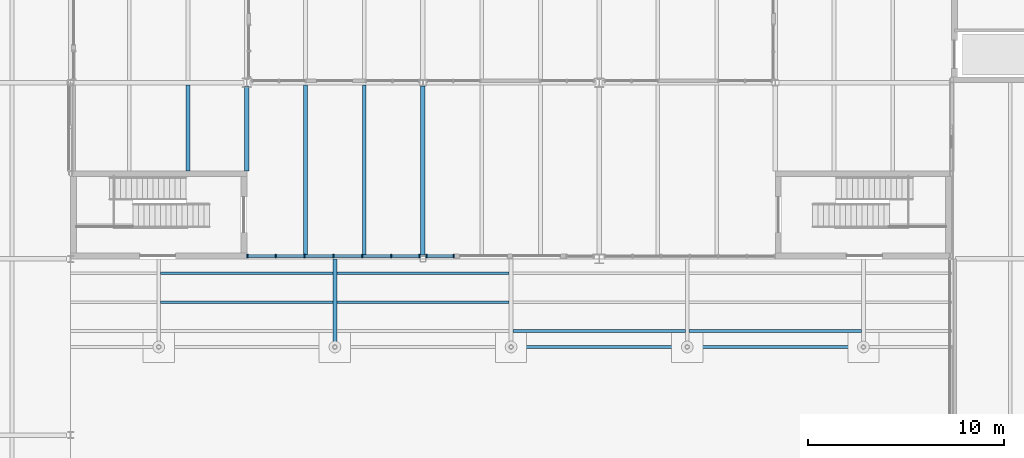
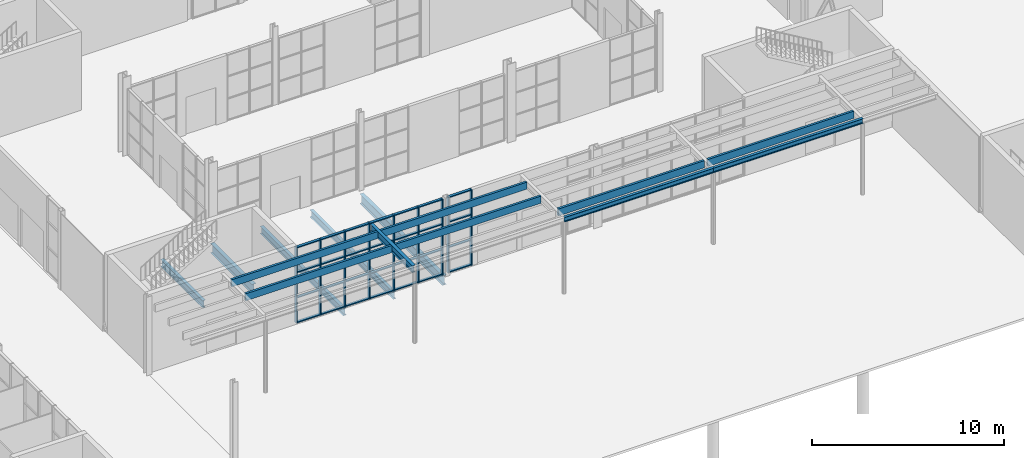
# One storey, part 13 of 63: 37 members, 14 beams, 2 elements without a shape of their own.
"""IFC4 building model written with IfcOpenShell, lengths in metres."""

from ifc_helpers import new_model, si_unit, direction, frame, origin, origin_2d, place, context, subcontext, project, spatial, rectangle, i_section, extrude, material, layer, layer_set, material_profile, profile_set, type_object, element, aggregate, save


model = new_model("IFC4")

# Units and contexts
model_context = context("Model", 3, precision=1e-05, world=origin(), true_north=direction((0.0, 1.0)))
body_context = subcontext(model_context, "Body", "Model", "MODEL_VIEW")
ifc_project = project(units=[si_unit("LENGTHUNIT", "METRE"), si_unit("AREAUNIT", "SQUARE_METRE"), si_unit("VOLUMEUNIT", "CUBIC_METRE"), si_unit("PLANEANGLEUNIT", "RADIAN"), si_unit("MASSUNIT", "GRAM", prefix="KILO")], contexts=[model_context])

# Site, building, storey
site_placement = place(None, origin())
site = spatial("IfcSite", under=ifc_project, at=site_placement, CompositionType="ELEMENT")
building_placement = place(site_placement, origin())
building = spatial("IfcBuilding", under=site, at=building_placement, Name="Halyard Row Museum", CompositionType="ELEMENT")
storey_placement = place(building_placement, origin())
storey = spatial("IfcBuildingStorey", under=building, at=storey_placement, Name="L00", CompositionType="ELEMENT", Elevation=0.0)

# Beams
ifc_material_1 = material(Name="Steel Grade 300", Category="steel")
ifc_material_profile_1 = material_profile(ifc_material_1, i_section(OverallWidth=0.166015625, OverallDepth=0.30712890625, WebThickness=0.006591796875, FlangeThickness=0.01171875, FilletRadius=0.011474609375, at=origin_2d()), Name="310UB46.2")
ifc_profile_set_1 = profile_set([ifc_material_profile_1], Name="Steel Grade 300")
beam_type_1 = type_object("IfcBeamType", Name="Canopy edge beam 310UB46.2", PredefinedType="BEAM", material=ifc_profile_set_1)
for number, where, z_axis, x_axis, name in (
    (1, (49.5, 13.5, 4.6962890625), (1.0, 0.0, 0.0), (0.0, 1.0, 0.0), "Canopy edge beam 4"),
    (2, (58.5, 13.5, 4.6962890625), (1.0, 0.0, 0.0), (0.0, 1.0, 0.0), "Canopy edge beam 5"),
):
    element("IfcBeam", number, at=place(storey_placement, frame(where, z_axis=z_axis, x_axis=x_axis)), inside=storey, type_object=beam_type_1, Name=name, PredefinedType="BEAM", context=body_context, shape_type="SweptSolid", body=[
        extrude(i_section(OverallWidth=0.166015625, OverallDepth=0.30712890625, WebThickness=0.006591796875, FlangeThickness=0.01171875, FilletRadius=0.011474609375, at=origin_2d()), origin(), (0.0, 0.0, 1.0), 9.0),
    ])
ifc_material_2 = material(Name="Steel Grade 300", Category="steel")
ifc_material_profile_2 = material_profile(ifc_material_2, i_section(OverallWidth=0.18994140625, OverallDepth=0.453857421875, WebThickness=0.008544921875, FlangeThickness=0.0126953125, FilletRadius=0.011474609375, at=origin_2d()), Name="460UB67.1")
ifc_profile_set_2 = profile_set([ifc_material_profile_2], Name="Steel Grade 300")
beam_type_2 = type_object("IfcBeamType", Name="Canopy primary beam 460UB67.1", PredefinedType="BEAM", material=ifc_profile_set_2)
beam_1_placement = place(storey_placement, frame((40.5, 13.5830078125, 4.623046875), z_axis=(0.0, 1.0, 0.0), x_axis=(-1.0, 0.0, 0.0)))
element("IfcBeam", 3, at=beam_1_placement, inside=storey, type_object=beam_type_2, Name="Canopy primary beam 40.5", PredefinedType="BEAM", context=body_context, shape_type="SweptSolid", body=[
    extrude(i_section(OverallWidth=0.18994140625, OverallDepth=0.453857421875, WebThickness=0.008544921875, FlangeThickness=0.0126953125, FilletRadius=0.011474609375, at=origin_2d()), origin(), (0.0, 0.0, 1.0), 4.4169921875),
])
ifc_material_3 = material(Name="Glulam GL12 radiata pine", Category="wood")
ifc_material_profile_3 = material_profile(ifc_material_3, rectangle(XDim=0.135009765625, YDim=0.449951171875, at=origin_2d()), Name="GL12 135x450")
ifc_profile_set_3 = profile_set([ifc_material_profile_3], Name="Glulam GL12 radiata pine")
beam_type_3 = type_object("IfcBeamType", Name="Canopy soffit joist GL12 135x450", PredefinedType="JOIST", material=ifc_profile_set_3)
for number, where, z_axis, x_axis, name in (
    (4, (31.594970703125, 15.79150390625, 4.625), (1.0, 0.0, 0.0), (0.0, 1.0, 0.0), "Canopy soffit joist 2.2"),
    (5, (31.594970703125, 17.263916015625, 4.625), (1.0, 0.0, 0.0), (0.0, 1.0, 0.0), "Canopy soffit joist 2.3"),
    (6, (40.594970703125, 15.79150390625, 4.625), (1.0, 0.0, 0.0), (0.0, 1.0, 0.0), "Canopy soffit joist 3.2"),
    (7, (40.594970703125, 17.263916015625, 4.625), (1.0, 0.0, 0.0), (0.0, 1.0, 0.0), "Canopy soffit joist 3.3"),
    (8, (49.594970703125, 14.319091796875, 4.625), (1.0, 0.0, 0.0), (0.0, 1.0, 0.0), "Canopy soffit joist 4.1"),
    (9, (58.594970703125, 14.319091796875, 4.625), (1.0, 0.0, 0.0), (0.0, 1.0, 0.0), "Canopy soffit joist 5.1"),
):
    element("IfcBeam", number, at=place(storey_placement, frame(where, z_axis=z_axis, x_axis=x_axis)), inside=storey, type_object=beam_type_3, Name=name, PredefinedType="JOIST", context=body_context, shape_type="SweptSolid", body=[
        extrude(rectangle(XDim=0.135009765625, YDim=0.449951171875, at=origin_2d()), origin(), (0.0, 0.0, 1.0), 8.81005859375),
    ])

# Curtain wall, members
ifc_material_4 = material(Name="Double glazed unit, low-emissivity", Category="glass")
ifc_layer = layer(ifc_material_4, 0.199951171875)
ifc_layer_set = layer_set([ifc_layer], Name="Double glazed unit, low-emissivity")
curtain_wall_type = type_object("IfcCurtainWallType", Name="Curtain wall shopfront 200 deep", PredefinedType="NOTDEFINED", material=ifc_layer_set)
curtain_wall_1_placement = place(storey_placement, origin())
curtain_wall_1 = element("IfcCurtainWall", 10, at=curtain_wall_1_placement, inside=storey, type_object=curtain_wall_type, Name="Curtain wall CW013", PredefinedType="NOTDEFINED")
ifc_material_5 = material(Name="Powder-coated aluminium section", Category="aluminium")
ifc_material_profile_4 = material_profile(ifc_material_5, rectangle(XDim=0.199951171875, YDim=0.06494140625, at=origin_2d()), Name="200x65 mullion")
ifc_profile_set_4 = profile_set([ifc_material_profile_4], Name="Powder-coated aluminium section")
member_type_1 = type_object("IfcMemberType", Name="Curtain wall mullion CM1 65 x 200", PredefinedType="MULLION", material=ifc_profile_set_4)
member_1_placement = place(storey_placement, frame((36.032470703125, 18.14990234375, 0.0), z_axis=(0.0, 0.0, 1.0), x_axis=(0.0, 1.0, 0.0)))
member_1 = element("IfcMember", 11, at=member_1_placement, type_object=member_type_1, Name="CW013 mullion 1", PredefinedType="MULLION", context=body_context, shape_type="SweptSolid", body=[
    extrude(rectangle(XDim=0.199951171875, YDim=0.06494140625, at=origin_2d()), origin(), (0.0, 0.0, 1.0), 4.8349609375),
])
member_2_placement = place(storey_placement, frame((37.47509765625, 18.14990234375, 0.0), z_axis=(0.0, 0.0, 1.0), x_axis=(0.0, 1.0, 0.0)))
member_2 = element("IfcMember", 12, at=member_2_placement, type_object=member_type_1, Name="CW013 mullion 2", PredefinedType="MULLION", context=body_context, shape_type="SweptSolid", body=[
    extrude(rectangle(XDim=0.199951171875, YDim=0.06494140625, at=origin_2d()), origin(), (0.0, 0.0, 1.0), 4.8349609375),
])
member_3_placement = place(storey_placement, frame((38.949951171875, 18.14990234375, 0.0), z_axis=(0.0, 0.0, 1.0), x_axis=(0.0, 1.0, 0.0)))
member_3 = element("IfcMember", 13, at=member_3_placement, type_object=member_type_1, Name="CW013 mullion 3", PredefinedType="MULLION", context=body_context, shape_type="SweptSolid", body=[
    extrude(rectangle(XDim=0.199951171875, YDim=0.06494140625, at=origin_2d()), origin(), (0.0, 0.0, 1.0), 4.8349609375),
])
member_4_placement = place(storey_placement, frame((40.425048828125, 18.14990234375, 0.0), z_axis=(0.0, 0.0, 1.0), x_axis=(0.0, 1.0, 0.0)))
member_4 = element("IfcMember", 14, at=member_4_placement, type_object=member_type_1, Name="CW013 mullion 4", PredefinedType="MULLION", context=body_context, shape_type="SweptSolid", body=[
    extrude(rectangle(XDim=0.199951171875, YDim=0.06494140625, at=origin_2d()), origin(), (0.0, 0.0, 1.0), 4.8349609375),
])
member_5_placement = place(storey_placement, frame((41.89990234375, 18.14990234375, 0.0), z_axis=(0.0, 0.0, 1.0), x_axis=(0.0, 1.0, 0.0)))
member_5 = element("IfcMember", 15, at=member_5_placement, type_object=member_type_1, Name="CW013 mullion 5", PredefinedType="MULLION", context=body_context, shape_type="SweptSolid", body=[
    extrude(rectangle(XDim=0.199951171875, YDim=0.06494140625, at=origin_2d()), origin(), (0.0, 0.0, 1.0), 4.8349609375),
])
member_6_placement = place(storey_placement, frame((43.375, 18.14990234375, 0.0), z_axis=(0.0, 0.0, 1.0), x_axis=(0.0, 1.0, 0.0)))
member_6 = element("IfcMember", 16, at=member_6_placement, type_object=member_type_1, Name="CW013 mullion 6", PredefinedType="MULLION", context=body_context, shape_type="SweptSolid", body=[
    extrude(rectangle(XDim=0.199951171875, YDim=0.06494140625, at=origin_2d()), origin(), (0.0, 0.0, 1.0), 4.8349609375),
])
member_7_placement = place(storey_placement, frame((44.8173828125, 18.14990234375, 0.0), z_axis=(0.0, 0.0, 1.0), x_axis=(0.0, 1.0, 0.0)))
member_7 = element("IfcMember", 17, at=member_7_placement, type_object=member_type_1, Name="CW013 mullion 7", PredefinedType="MULLION", context=body_context, shape_type="SweptSolid", body=[
    extrude(rectangle(XDim=0.199951171875, YDim=0.06494140625, at=origin_2d()), origin(), (0.0, 0.0, 1.0), 4.8349609375),
])

curtain_wall_2_placement = place(storey_placement, origin())
curtain_wall_2 = element("IfcCurtainWall", 18, at=curtain_wall_2_placement, inside=storey, type_object=curtain_wall_type, Name="Curtain wall CW014", PredefinedType="NOTDEFINED")
member_8_placement = place(storey_placement, frame((45.1826171875, 18.14990234375, 0.0), z_axis=(0.0, 0.0, 1.0), x_axis=(0.0, 1.0, 0.0)))
member_8 = element("IfcMember", 19, at=member_8_placement, type_object=member_type_1, Name="CW014 mullion 1", PredefinedType="MULLION", context=body_context, shape_type="SweptSolid", body=[
    extrude(rectangle(XDim=0.199951171875, YDim=0.06494140625, at=origin_2d()), origin(), (0.0, 0.0, 1.0), 4.8349609375),
])
member_9_placement = place(storey_placement, frame((46.5673828125, 18.14990234375, 0.0), z_axis=(0.0, 0.0, 1.0), x_axis=(0.0, 1.0, 0.0)))
member_9 = element("IfcMember", 20, at=member_9_placement, type_object=member_type_1, Name="CW014 mullion 2", PredefinedType="MULLION", context=body_context, shape_type="SweptSolid", body=[
    extrude(rectangle(XDim=0.199951171875, YDim=0.06494140625, at=origin_2d()), origin(), (0.0, 0.0, 1.0), 4.8349609375),
])

# Member
ifc_material_6 = material(Name="Powder-coated aluminium section", Category="aluminium")
ifc_material_profile_5 = material_profile(ifc_material_6, rectangle(XDim=0.14990234375, YDim=0.06494140625, at=origin_2d()), Name="150x65 transom")
ifc_profile_set_5 = profile_set([ifc_material_profile_5], Name="Powder-coated aluminium section")
member_type_2 = type_object("IfcMemberType", Name="Curtain wall transom CT1 65 x 150", PredefinedType="USERDEFINED", material=ifc_profile_set_5)
member_10_placement = place(storey_placement, frame((36.06494140625, 18.14990234375, 0.032470703125), z_axis=(1.0, 0.0, 0.0), x_axis=(0.0, 1.0, 0.0)))
member_10 = element("IfcMember", 21, at=member_10_placement, type_object=member_type_2, Name="CW013 transom 1.1", ObjectType="TRANSOM", PredefinedType="USERDEFINED", context=body_context, shape_type="SweptSolid", body=[
    extrude(rectangle(XDim=0.14990234375, YDim=0.06494140625, at=origin_2d()), origin(), (0.0, 0.0, 1.0), 1.37744140625),
])

member_11_placement = place(storey_placement, frame((36.06494140625, 18.14990234375, 1.611572265625), z_axis=(1.0, 0.0, 0.0), x_axis=(0.0, 1.0, 0.0)))
member_11 = element("IfcMember", 22, at=member_11_placement, type_object=member_type_2, Name="CW013 transom 1.2", ObjectType="TRANSOM", PredefinedType="USERDEFINED", context=body_context, shape_type="SweptSolid", body=[
    extrude(rectangle(XDim=0.14990234375, YDim=0.06494140625, at=origin_2d()), origin(), (0.0, 0.0, 1.0), 1.37744140625),
])

member_12_placement = place(storey_placement, frame((36.06494140625, 18.14990234375, 3.223388671875), z_axis=(1.0, 0.0, 0.0), x_axis=(0.0, 1.0, 0.0)))
member_12 = element("IfcMember", 23, at=member_12_placement, type_object=member_type_2, Name="CW013 transom 1.3", ObjectType="TRANSOM", PredefinedType="USERDEFINED", context=body_context, shape_type="SweptSolid", body=[
    extrude(rectangle(XDim=0.14990234375, YDim=0.06494140625, at=origin_2d()), origin(), (0.0, 0.0, 1.0), 1.37744140625),
])

member_13_placement = place(storey_placement, frame((36.06494140625, 18.14990234375, 4.802490234375), z_axis=(1.0, 0.0, 0.0), x_axis=(0.0, 1.0, 0.0)))
member_13 = element("IfcMember", 24, at=member_13_placement, type_object=member_type_2, Name="CW013 transom 1.4", ObjectType="TRANSOM", PredefinedType="USERDEFINED", context=body_context, shape_type="SweptSolid", body=[
    extrude(rectangle(XDim=0.14990234375, YDim=0.06494140625, at=origin_2d()), origin(), (0.0, 0.0, 1.0), 1.37744140625),
])

member_14_placement = place(storey_placement, frame((37.507568359375, 18.14990234375, 0.032470703125), z_axis=(1.0, 0.0, 0.0), x_axis=(0.0, 1.0, 0.0)))
member_14 = element("IfcMember", 25, at=member_14_placement, type_object=member_type_2, Name="CW013 transom 2.1", ObjectType="TRANSOM", PredefinedType="USERDEFINED", context=body_context, shape_type="SweptSolid", body=[
    extrude(rectangle(XDim=0.14990234375, YDim=0.06494140625, at=origin_2d()), origin(), (0.0, 0.0, 1.0), 1.409912109375),
])

member_15_placement = place(storey_placement, frame((37.507568359375, 18.14990234375, 1.611572265625), z_axis=(1.0, 0.0, 0.0), x_axis=(0.0, 1.0, 0.0)))
member_15 = element("IfcMember", 26, at=member_15_placement, type_object=member_type_2, Name="CW013 transom 2.2", ObjectType="TRANSOM", PredefinedType="USERDEFINED", context=body_context, shape_type="SweptSolid", body=[
    extrude(rectangle(XDim=0.14990234375, YDim=0.06494140625, at=origin_2d()), origin(), (0.0, 0.0, 1.0), 1.409912109375),
])

member_16_placement = place(storey_placement, frame((37.507568359375, 18.14990234375, 3.223388671875), z_axis=(1.0, 0.0, 0.0), x_axis=(0.0, 1.0, 0.0)))
member_16 = element("IfcMember", 27, at=member_16_placement, type_object=member_type_2, Name="CW013 transom 2.3", ObjectType="TRANSOM", PredefinedType="USERDEFINED", context=body_context, shape_type="SweptSolid", body=[
    extrude(rectangle(XDim=0.14990234375, YDim=0.06494140625, at=origin_2d()), origin(), (0.0, 0.0, 1.0), 1.409912109375),
])

member_17_placement = place(storey_placement, frame((37.507568359375, 18.14990234375, 4.802490234375), z_axis=(1.0, 0.0, 0.0), x_axis=(0.0, 1.0, 0.0)))
member_17 = element("IfcMember", 28, at=member_17_placement, type_object=member_type_2, Name="CW013 transom 2.4", ObjectType="TRANSOM", PredefinedType="USERDEFINED", context=body_context, shape_type="SweptSolid", body=[
    extrude(rectangle(XDim=0.14990234375, YDim=0.06494140625, at=origin_2d()), origin(), (0.0, 0.0, 1.0), 1.409912109375),
])

member_18_placement = place(storey_placement, frame((38.982421875, 18.14990234375, 0.032470703125), z_axis=(1.0, 0.0, 0.0), x_axis=(0.0, 1.0, 0.0)))
member_18 = element("IfcMember", 29, at=member_18_placement, type_object=member_type_2, Name="CW013 transom 3.1", ObjectType="TRANSOM", PredefinedType="USERDEFINED", context=body_context, shape_type="SweptSolid", body=[
    extrude(rectangle(XDim=0.14990234375, YDim=0.06494140625, at=origin_2d()), origin(), (0.0, 0.0, 1.0), 1.41015625),
])

member_19_placement = place(storey_placement, frame((38.982421875, 18.14990234375, 1.611572265625), z_axis=(1.0, 0.0, 0.0), x_axis=(0.0, 1.0, 0.0)))
member_19 = element("IfcMember", 30, at=member_19_placement, type_object=member_type_2, Name="CW013 transom 3.2", ObjectType="TRANSOM", PredefinedType="USERDEFINED", context=body_context, shape_type="SweptSolid", body=[
    extrude(rectangle(XDim=0.14990234375, YDim=0.06494140625, at=origin_2d()), origin(), (0.0, 0.0, 1.0), 1.41015625),
])

member_20_placement = place(storey_placement, frame((38.982421875, 18.14990234375, 3.223388671875), z_axis=(1.0, 0.0, 0.0), x_axis=(0.0, 1.0, 0.0)))
member_20 = element("IfcMember", 31, at=member_20_placement, type_object=member_type_2, Name="CW013 transom 3.3", ObjectType="TRANSOM", PredefinedType="USERDEFINED", context=body_context, shape_type="SweptSolid", body=[
    extrude(rectangle(XDim=0.14990234375, YDim=0.06494140625, at=origin_2d()), origin(), (0.0, 0.0, 1.0), 1.41015625),
])

member_21_placement = place(storey_placement, frame((38.982421875, 18.14990234375, 4.802490234375), z_axis=(1.0, 0.0, 0.0), x_axis=(0.0, 1.0, 0.0)))
member_21 = element("IfcMember", 32, at=member_21_placement, type_object=member_type_2, Name="CW013 transom 3.4", ObjectType="TRANSOM", PredefinedType="USERDEFINED", context=body_context, shape_type="SweptSolid", body=[
    extrude(rectangle(XDim=0.14990234375, YDim=0.06494140625, at=origin_2d()), origin(), (0.0, 0.0, 1.0), 1.41015625),
])

member_22_placement = place(storey_placement, frame((40.45751953125, 18.14990234375, 0.032470703125), z_axis=(1.0, 0.0, 0.0), x_axis=(0.0, 1.0, 0.0)))
member_22 = element("IfcMember", 33, at=member_22_placement, type_object=member_type_2, Name="CW013 transom 4.1", ObjectType="TRANSOM", PredefinedType="USERDEFINED", context=body_context, shape_type="SweptSolid", body=[
    extrude(rectangle(XDim=0.14990234375, YDim=0.06494140625, at=origin_2d()), origin(), (0.0, 0.0, 1.0), 1.409912109375),
])

member_23_placement = place(storey_placement, frame((40.45751953125, 18.14990234375, 1.611572265625), z_axis=(1.0, 0.0, 0.0), x_axis=(0.0, 1.0, 0.0)))
member_23 = element("IfcMember", 34, at=member_23_placement, type_object=member_type_2, Name="CW013 transom 4.2", ObjectType="TRANSOM", PredefinedType="USERDEFINED", context=body_context, shape_type="SweptSolid", body=[
    extrude(rectangle(XDim=0.14990234375, YDim=0.06494140625, at=origin_2d()), origin(), (0.0, 0.0, 1.0), 1.409912109375),
])

member_24_placement = place(storey_placement, frame((40.45751953125, 18.14990234375, 3.223388671875), z_axis=(1.0, 0.0, 0.0), x_axis=(0.0, 1.0, 0.0)))
member_24 = element("IfcMember", 35, at=member_24_placement, type_object=member_type_2, Name="CW013 transom 4.3", ObjectType="TRANSOM", PredefinedType="USERDEFINED", context=body_context, shape_type="SweptSolid", body=[
    extrude(rectangle(XDim=0.14990234375, YDim=0.06494140625, at=origin_2d()), origin(), (0.0, 0.0, 1.0), 1.409912109375),
])

member_25_placement = place(storey_placement, frame((40.45751953125, 18.14990234375, 4.802490234375), z_axis=(1.0, 0.0, 0.0), x_axis=(0.0, 1.0, 0.0)))
member_25 = element("IfcMember", 36, at=member_25_placement, type_object=member_type_2, Name="CW013 transom 4.4", ObjectType="TRANSOM", PredefinedType="USERDEFINED", context=body_context, shape_type="SweptSolid", body=[
    extrude(rectangle(XDim=0.14990234375, YDim=0.06494140625, at=origin_2d()), origin(), (0.0, 0.0, 1.0), 1.409912109375),
])

member_26_placement = place(storey_placement, frame((41.9326171875, 18.14990234375, 0.032470703125), z_axis=(1.0, 0.0, 0.0), x_axis=(0.0, 1.0, 0.0)))
member_26 = element("IfcMember", 37, at=member_26_placement, type_object=member_type_2, Name="CW013 transom 5.1", ObjectType="TRANSOM", PredefinedType="USERDEFINED", context=body_context, shape_type="SweptSolid", body=[
    extrude(rectangle(XDim=0.14990234375, YDim=0.06494140625, at=origin_2d()), origin(), (0.0, 0.0, 1.0), 1.409912109375),
])

member_27_placement = place(storey_placement, frame((41.9326171875, 18.14990234375, 1.611572265625), z_axis=(1.0, 0.0, 0.0), x_axis=(0.0, 1.0, 0.0)))
member_27 = element("IfcMember", 38, at=member_27_placement, type_object=member_type_2, Name="CW013 transom 5.2", ObjectType="TRANSOM", PredefinedType="USERDEFINED", context=body_context, shape_type="SweptSolid", body=[
    extrude(rectangle(XDim=0.14990234375, YDim=0.06494140625, at=origin_2d()), origin(), (0.0, 0.0, 1.0), 1.409912109375),
])

member_28_placement = place(storey_placement, frame((41.9326171875, 18.14990234375, 3.223388671875), z_axis=(1.0, 0.0, 0.0), x_axis=(0.0, 1.0, 0.0)))
member_28 = element("IfcMember", 39, at=member_28_placement, type_object=member_type_2, Name="CW013 transom 5.3", ObjectType="TRANSOM", PredefinedType="USERDEFINED", context=body_context, shape_type="SweptSolid", body=[
    extrude(rectangle(XDim=0.14990234375, YDim=0.06494140625, at=origin_2d()), origin(), (0.0, 0.0, 1.0), 1.409912109375),
])

member_29_placement = place(storey_placement, frame((41.9326171875, 18.14990234375, 4.802490234375), z_axis=(1.0, 0.0, 0.0), x_axis=(0.0, 1.0, 0.0)))
member_29 = element("IfcMember", 40, at=member_29_placement, type_object=member_type_2, Name="CW013 transom 5.4", ObjectType="TRANSOM", PredefinedType="USERDEFINED", context=body_context, shape_type="SweptSolid", body=[
    extrude(rectangle(XDim=0.14990234375, YDim=0.06494140625, at=origin_2d()), origin(), (0.0, 0.0, 1.0), 1.409912109375),
])

member_30_placement = place(storey_placement, frame((43.407470703125, 18.14990234375, 0.032470703125), z_axis=(1.0, 0.0, 0.0), x_axis=(0.0, 1.0, 0.0)))
member_30 = element("IfcMember", 41, at=member_30_placement, type_object=member_type_2, Name="CW013 transom 6.1", ObjectType="TRANSOM", PredefinedType="USERDEFINED", context=body_context, shape_type="SweptSolid", body=[
    extrude(rectangle(XDim=0.14990234375, YDim=0.06494140625, at=origin_2d()), origin(), (0.0, 0.0, 1.0), 1.37744140625),
])

member_31_placement = place(storey_placement, frame((43.407470703125, 18.14990234375, 1.611572265625), z_axis=(1.0, 0.0, 0.0), x_axis=(0.0, 1.0, 0.0)))
member_31 = element("IfcMember", 42, at=member_31_placement, type_object=member_type_2, Name="CW013 transom 6.2", ObjectType="TRANSOM", PredefinedType="USERDEFINED", context=body_context, shape_type="SweptSolid", body=[
    extrude(rectangle(XDim=0.14990234375, YDim=0.06494140625, at=origin_2d()), origin(), (0.0, 0.0, 1.0), 1.37744140625),
])

member_32_placement = place(storey_placement, frame((43.407470703125, 18.14990234375, 3.223388671875), z_axis=(1.0, 0.0, 0.0), x_axis=(0.0, 1.0, 0.0)))
member_32 = element("IfcMember", 43, at=member_32_placement, type_object=member_type_2, Name="CW013 transom 6.3", ObjectType="TRANSOM", PredefinedType="USERDEFINED", context=body_context, shape_type="SweptSolid", body=[
    extrude(rectangle(XDim=0.14990234375, YDim=0.06494140625, at=origin_2d()), origin(), (0.0, 0.0, 1.0), 1.37744140625),
])

member_33_placement = place(storey_placement, frame((43.407470703125, 18.14990234375, 4.802490234375), z_axis=(1.0, 0.0, 0.0), x_axis=(0.0, 1.0, 0.0)))
member_33 = element("IfcMember", 44, at=member_33_placement, type_object=member_type_2, Name="CW013 transom 6.4", ObjectType="TRANSOM", PredefinedType="USERDEFINED", context=body_context, shape_type="SweptSolid", body=[
    extrude(rectangle(XDim=0.14990234375, YDim=0.06494140625, at=origin_2d()), origin(), (0.0, 0.0, 1.0), 1.37744140625),
])

aggregate(curtain_wall_1, [member_1, member_2, member_3, member_4, member_5, member_6, member_7, member_10, member_11, member_12, member_13, member_14, member_15, member_16, member_17, member_18, member_19, member_20, member_21, member_22, member_23, member_24, member_25, member_26, member_27, member_28, member_29, member_30, member_31, member_32, member_33])

member_34_placement = place(storey_placement, frame((45.215087890625, 18.14990234375, 0.032470703125), z_axis=(1.0, 0.0, 0.0), x_axis=(0.0, 1.0, 0.0)))
member_34 = element("IfcMember", 45, at=member_34_placement, type_object=member_type_2, Name="CW014 transom 1.1", ObjectType="TRANSOM", PredefinedType="USERDEFINED", context=body_context, shape_type="SweptSolid", body=[
    extrude(rectangle(XDim=0.14990234375, YDim=0.06494140625, at=origin_2d()), origin(), (0.0, 0.0, 1.0), 1.31982421875),
])

member_35_placement = place(storey_placement, frame((45.215087890625, 18.14990234375, 1.611572265625), z_axis=(1.0, 0.0, 0.0), x_axis=(0.0, 1.0, 0.0)))
member_35 = element("IfcMember", 46, at=member_35_placement, type_object=member_type_2, Name="CW014 transom 1.2", ObjectType="TRANSOM", PredefinedType="USERDEFINED", context=body_context, shape_type="SweptSolid", body=[
    extrude(rectangle(XDim=0.14990234375, YDim=0.06494140625, at=origin_2d()), origin(), (0.0, 0.0, 1.0), 1.31982421875),
])

member_36_placement = place(storey_placement, frame((45.215087890625, 18.14990234375, 3.223388671875), z_axis=(1.0, 0.0, 0.0), x_axis=(0.0, 1.0, 0.0)))
member_36 = element("IfcMember", 47, at=member_36_placement, type_object=member_type_2, Name="CW014 transom 1.3", ObjectType="TRANSOM", PredefinedType="USERDEFINED", context=body_context, shape_type="SweptSolid", body=[
    extrude(rectangle(XDim=0.14990234375, YDim=0.06494140625, at=origin_2d()), origin(), (0.0, 0.0, 1.0), 1.31982421875),
])

member_37_placement = place(storey_placement, frame((45.215087890625, 18.14990234375, 4.802490234375), z_axis=(1.0, 0.0, 0.0), x_axis=(0.0, 1.0, 0.0)))
member_37 = element("IfcMember", 48, at=member_37_placement, type_object=member_type_2, Name="CW014 transom 1.4", ObjectType="TRANSOM", PredefinedType="USERDEFINED", context=body_context, shape_type="SweptSolid", body=[
    extrude(rectangle(XDim=0.14990234375, YDim=0.06494140625, at=origin_2d()), origin(), (0.0, 0.0, 1.0), 1.31982421875),
])

aggregate(curtain_wall_2, [member_8, member_9, member_34, member_35, member_36, member_37])

# Beams
ifc_material_7 = material(Name="Steel Grade 300", Category="steel")
ifc_material_profile_6 = material_profile(ifc_material_7, i_section(OverallWidth=0.22900390625, OverallDepth=0.611572265625, WebThickness=0.011962890625, FlangeThickness=0.01953125, FilletRadius=0.013916015625, at=origin_2d()), Name="610UB125")
ifc_profile_set_6 = profile_set([ifc_material_profile_6], Name="Steel Grade 300")
beam_type_4 = type_object("IfcBeamType", Name="Girder beam 610UB125", PredefinedType="BEAM", material=ifc_profile_set_6)
beam_2_placement = place(storey_placement, frame((36.0, 22.5, -0.470703125), z_axis=(0.0, 1.0, 0.0), x_axis=(-1.0, 0.0, 0.0)))
element("IfcBeam", 49, at=beam_2_placement, inside=storey, type_object=beam_type_4, Name="Beam L00-047", PredefinedType="BEAM", context=body_context, shape_type="SweptSolid", body=[
    extrude(i_section(OverallWidth=0.22900390625, OverallDepth=0.611572265625, WebThickness=0.011962890625, FlangeThickness=0.01953125, FilletRadius=0.013916015625, at=origin_2d()), origin(), (0.0, 0.0, 1.0), 4.33642578125),
])
beam_3_placement = place(storey_placement, frame((45.0, 18.199951171875, -0.470703125), z_axis=(0.0, 1.0, 0.0), x_axis=(-1.0, 0.0, 0.0)))
element("IfcBeam", 50, at=beam_3_placement, inside=storey, type_object=beam_type_4, Name="Beam L00-050", PredefinedType="BEAM", context=body_context, shape_type="SweptSolid", body=[
    extrude(i_section(OverallWidth=0.22900390625, OverallDepth=0.611572265625, WebThickness=0.011962890625, FlangeThickness=0.01953125, FilletRadius=0.013916015625, at=origin_2d()), origin(), (0.0, 0.0, 1.0), 8.636474609375),
])
ifc_material_8 = material(Name="Steel Grade 300", Category="steel")
ifc_material_profile_7 = material_profile(ifc_material_8, i_section(OverallWidth=0.18994140625, OverallDepth=0.453857421875, WebThickness=0.008544921875, FlangeThickness=0.0126953125, FilletRadius=0.011474609375, at=origin_2d()), Name="460UB67.1")
ifc_profile_set_7 = profile_set([ifc_material_profile_7], Name="Steel Grade 300")
beam_type_5 = type_object("IfcBeamType", Name="Secondary beam 460UB67.1", PredefinedType="BEAM", material=ifc_profile_set_7)
for number, where, z_axis, x_axis, name in (
    (51, (39.0, 18.199951171875, -0.391845703125), (0.0, 1.0, 0.0), (-1.0, 0.0, 0.0), "Beam L00-109"),
    (52, (42.0, 18.199951171875, -0.391845703125), (0.0, 1.0, 0.0), (-1.0, 0.0, 0.0), "Beam L00-110"),
):
    element("IfcBeam", number, at=place(storey_placement, frame(where, z_axis=z_axis, x_axis=x_axis)), inside=storey, type_object=beam_type_5, Name=name, PredefinedType="BEAM", context=body_context, shape_type="SweptSolid", body=[
        extrude(i_section(OverallWidth=0.18994140625, OverallDepth=0.453857421875, WebThickness=0.008544921875, FlangeThickness=0.0126953125, FilletRadius=0.011474609375, at=origin_2d()), origin(), (0.0, 0.0, 1.0), 8.685546875),
    ])
beam_4_placement = place(storey_placement, frame((33.0, 22.5, -0.391845703125), z_axis=(0.0, 1.0, 0.0), x_axis=(-1.0, 0.0, 0.0)))
element("IfcBeam", 53, at=beam_4_placement, inside=storey, type_object=beam_type_5, Name="Beam L00-120", PredefinedType="BEAM", context=body_context, shape_type="SweptSolid", body=[
    extrude(i_section(OverallWidth=0.18994140625, OverallDepth=0.453857421875, WebThickness=0.008544921875, FlangeThickness=0.0126953125, FilletRadius=0.011474609375, at=origin_2d()), origin(), (0.0, 0.0, 1.0), 4.385498046875),
])

save(model, "model.ifc")
